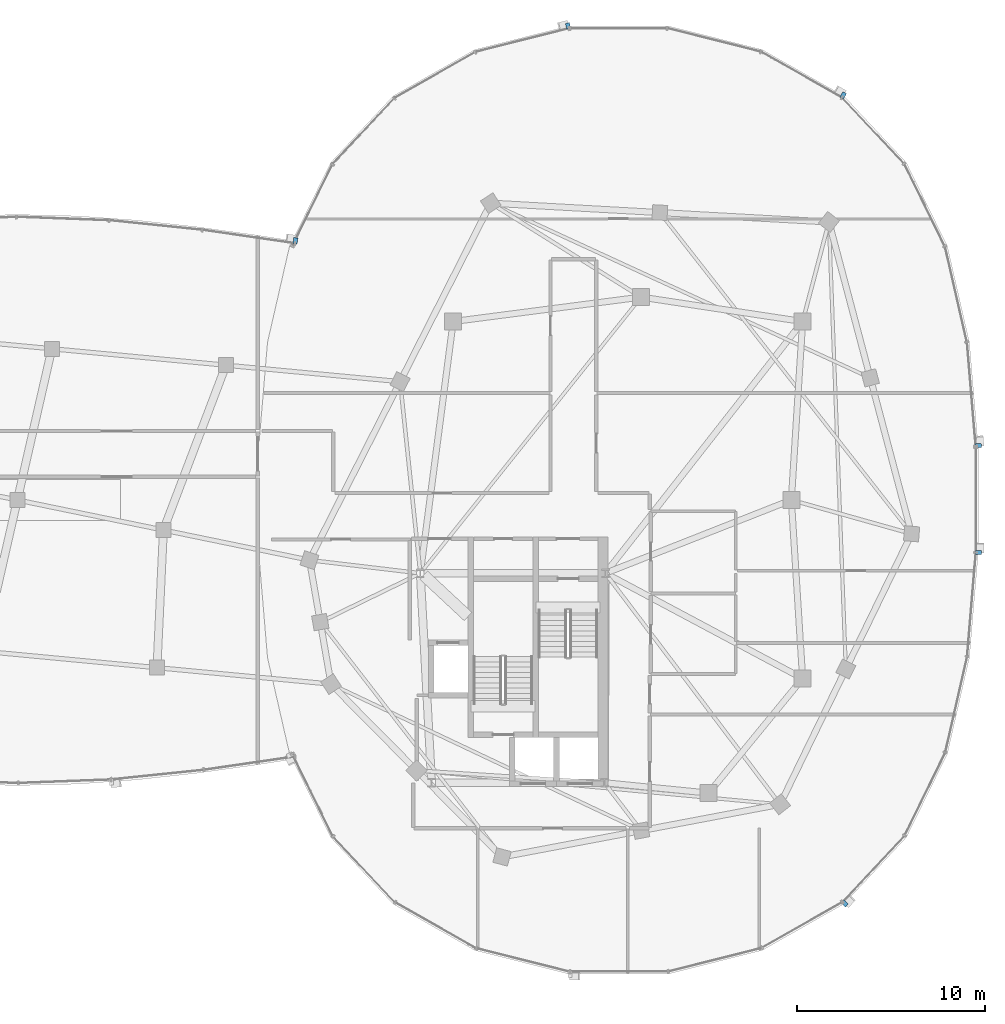
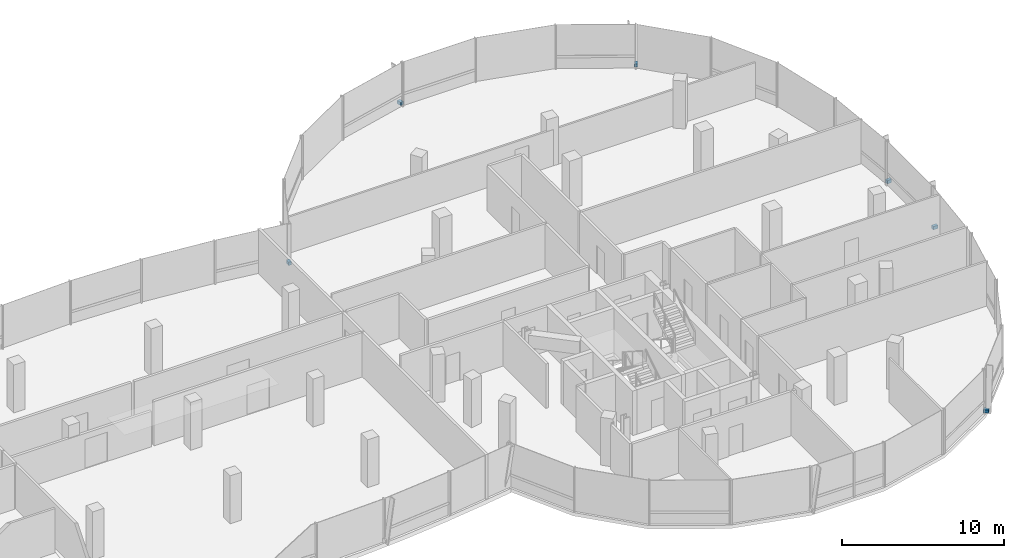
# One storey, part 20 of 26: 6 discrete accessories.
"""IFC4 building model written with IfcOpenShell, lengths in metres."""

from ifc_helpers import new_model, si_unit, direction, frame, origin, origin_2d, place, context, subcontext, project, spatial, rectangle, extrude, material, type_object, element, save


model = new_model("IFC4")

# Units and contexts
model_context = context("Model", 3, precision=1e-05, world=origin(), true_north=direction((0.0, 1.0)))
body_context = subcontext(model_context, "Body", "Model", "MODEL_VIEW")
ifc_project = project(units=[si_unit("LENGTHUNIT", "METRE"), si_unit("AREAUNIT", "SQUARE_METRE"), si_unit("VOLUMEUNIT", "CUBIC_METRE"), si_unit("PLANEANGLEUNIT", "RADIAN"), si_unit("MASSUNIT", "GRAM", prefix="KILO"), si_unit("THERMODYNAMICTEMPERATUREUNIT", "KELVIN"), si_unit("POWERUNIT", "WATT")], contexts=[model_context])

# Site, building, storey
site_placement = place(None, origin())
site = spatial("IfcSite", under=ifc_project, at=site_placement, CompositionType="ELEMENT")
building_placement = place(site_placement, origin())
building = spatial("IfcBuilding", under=site, at=building_placement, Name="Cundina Bronze Exchange", CompositionType="ELEMENT")
storey_placement = place(building_placement, frame((0.0, 0.0, 264.800048828125)))
storey = spatial("IfcBuildingStorey", under=building, at=storey_placement, Name="L70", CompositionType="ELEMENT", Elevation=264.800048828125)

# Discrete accessories
ifc_material = material(Name="Anodised Bronze Aluminium 6063-T6", Category="aluminium")
discrete_accessory_type = type_object("IfcDiscreteAccessoryType", Name="ACC-BRK-FIN", PredefinedType="BRACKET", material=ifc_material)
for number, where, z_axis, x_axis, name in (
    (1, (51.154541015625, 2.897216796875, 0.10009765625), (0.0, 0.0, 1.0), (-0.083747411454, 0.996487015006, 0.0), "L70 Fin Support Bracket 1"),
    (2, (43.958251953125, 21.54150390625, 0.10009765625), (0.0, 0.0, 1.0), (-0.869572506985, 0.493805280547, 0.0), "L70 Fin Support Bracket 5"),
    (3, (29.317626953125, 25.23681640625, 0.10009765625), (0.0, 0.0, 1.0), (-0.969731542251, -0.244173577528, 0.0), "L70 Fin Support Bracket 1"),
    (4, (44.042236328125, -21.4755859375, 0.10009765625), (0.0, 0.0, 1.0), (0.684343512797, 0.72915976061, 0.0), "L70 Fin Support Bracket 1"),
    (5, (51.158935546875, -2.79150390625, 0.10009765625), (0.0, 0.0, 1.0), (0.0, 1.0, 0.0), "L70 Fin Support Bracket 5"),
    (6, (14.799560546875, 13.79736328125, 0.10009765625), (0.0, 0.0, 1.0), (-0.989528308409, 0.144338930496, 0.0), "L70 Fin Support Bracket 1"),
):
    element("IfcDiscreteAccessory", number, at=place(storey_placement, frame(where, z_axis=z_axis, x_axis=x_axis)), inside=storey, type_object=discrete_accessory_type, Name=name, PredefinedType="BRACKET", context=body_context, shape_type="SweptSolid", body=[
        extrude(rectangle(XDim=0.219970703125, YDim=0.320068359375, at=origin_2d()), origin(), (0.0, 0.0, 1.0), 0.239990234375),
    ])

save(model, "model.ifc")
